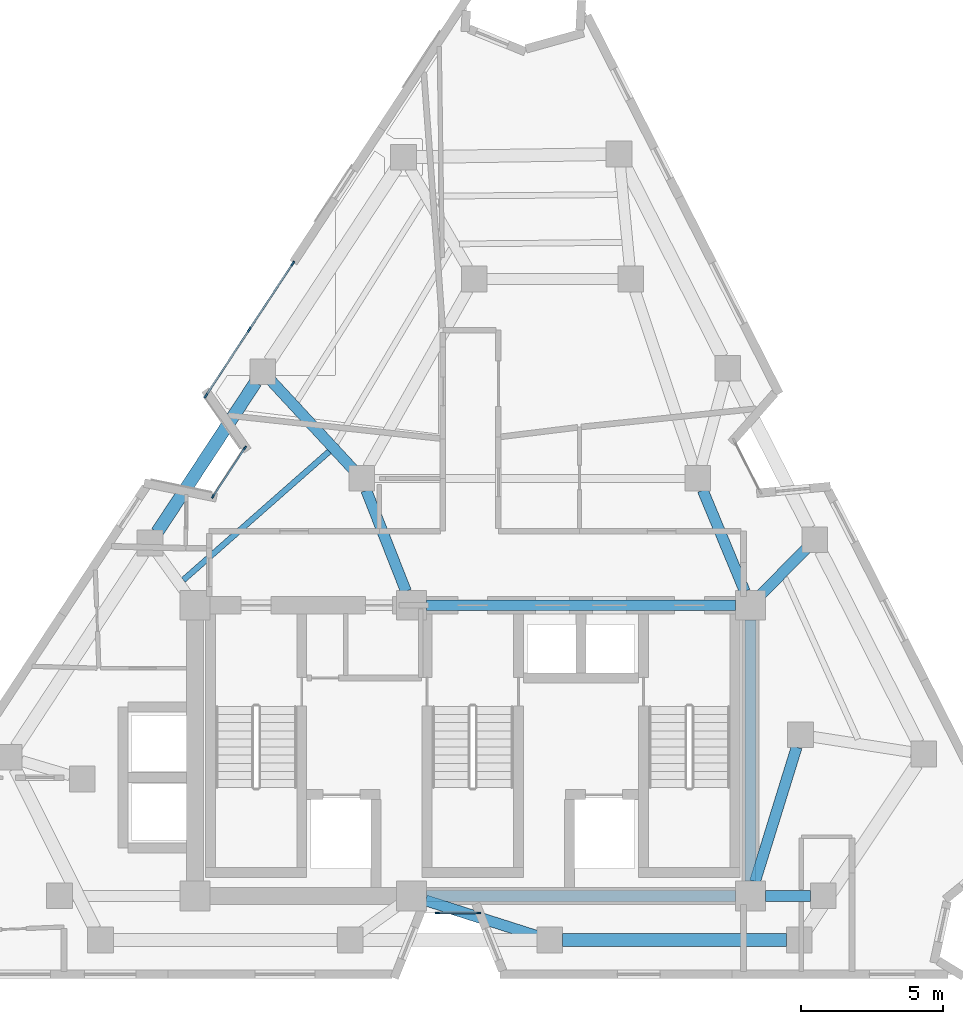
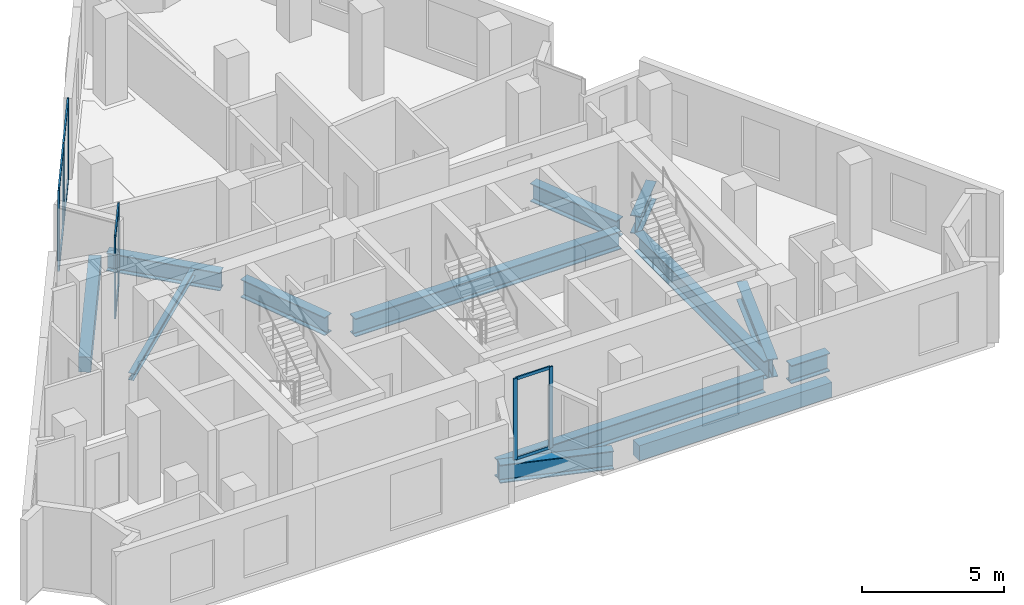
# One storey, part 2 of 8: 15 members, 13 beams, 3 elements without a shape of their own.
"""IFC4 building model written with IfcOpenShell, lengths in metres."""

from ifc_helpers import new_model, si_unit, direction, frame, origin, origin_2d, place, context, subcontext, project, spatial, rectangle, i_section, extrude, material, layer, layer_set, material_profile, profile_set, type_object, element, aggregate, save


model = new_model("IFC4")

# Units and contexts
model_context = context("Model", 3, precision=1e-05, world=origin(), true_north=direction((0.0, 1.0)))
body_context = subcontext(model_context, "Body", "Model", "MODEL_VIEW")
ifc_project = project(units=[si_unit("LENGTHUNIT", "METRE"), si_unit("AREAUNIT", "SQUARE_METRE"), si_unit("VOLUMEUNIT", "CUBIC_METRE"), si_unit("PLANEANGLEUNIT", "RADIAN"), si_unit("MASSUNIT", "GRAM", prefix="KILO")], contexts=[model_context])

# Site, building, storey
site_placement = place(None, origin())
site = spatial("IfcSite", under=ifc_project, at=site_placement, CompositionType="ELEMENT")
building_placement = place(site_placement, origin())
building = spatial("IfcBuilding", under=site, at=building_placement, Name="Almagre Mirador Tower", CompositionType="ELEMENT")
storey_placement = place(building_placement, frame((0.0, 0.0, 240.75)))
storey = spatial("IfcBuildingStorey", under=building, at=storey_placement, Name="L62", CompositionType="ELEMENT", Elevation=240.75)

# Beams
ifc_material_1 = material(Name="Steel ASTM A992 Grade 50", Category="steel")
ifc_material_profile_1 = material_profile(ifc_material_1, i_section(OverallWidth=0.205078125, OverallDepth=0.31005859375, WebThickness=0.009521484375, FlangeThickness=0.016357421875, FilletRadius=0.013916015625, at=origin_2d()), Name="W12X50")
ifc_profile_set_1 = profile_set([ifc_material_profile_1], Name="Steel ASTM A992 Grade 50")
beam_type_1 = type_object("IfcBeamType", Name="BM-JST-W12X50", PredefinedType="JOIST", material=ifc_profile_set_1)
beam_1_placement = place(storey_placement, frame((32.263916015625, 20.14453125, -0.405029296875), z_axis=(-0.750405922729, -0.660977269755, 0.0), x_axis=(0.660977269755, -0.750405922729, 0.0)))
element("IfcBeam", 1, at=beam_1_placement, inside=storey, type_object=beam_type_1, Name="L62 secondary floor joist PC10-PC11.3", PredefinedType="JOIST", context=body_context, shape_type="SweptSolid", body=[
    extrude(i_section(OverallWidth=0.205078125, OverallDepth=0.31005859375, WebThickness=0.009521484375, FlangeThickness=0.016357421875, FilletRadius=0.013916015625, at=origin_2d()), origin(), (0.0, 0.0, 1.0), 6.819580078125),
])
ifc_material_2 = material(Name="Precast concrete C50/60", Category="concrete")
ifc_material_profile_2 = material_profile(ifc_material_2, rectangle(XDim=0.449951171875, YDim=0.64990234375, at=origin_2d()), Name="RC450X650")
ifc_profile_set_2 = profile_set([ifc_material_profile_2], Name="Precast concrete C50/60")
beam_type_2 = type_object("IfcBeamType", Name="BM-SPN-RC450X650", PredefinedType="SPANDREL", material=ifc_profile_set_2)
beam_2_placement = place(storey_placement, frame((40.4541015625, 3.0, -0.574951171875), z_axis=(1.0, 0.0, 0.0), x_axis=(0.0, 1.0, 0.0)))
element("IfcBeam", 2, at=beam_2_placement, inside=storey, type_object=beam_type_2, Name="L62 perimeter spandrel beam PC03-PC04", PredefinedType="SPANDREL", context=body_context, shape_type="SweptSolid", body=[
    extrude(rectangle(XDim=0.449951171875, YDim=0.64990234375, at=origin_2d()), origin(), (0.0, 0.0, 1.0), 7.85986328125),
])
beam_3_placement = place(storey_placement, frame((29.681884765625, 22.572998046875, -0.574951171875), z_axis=(-0.549024719226, -0.835806112492, 0.0), x_axis=(0.835806112492, -0.549024719226, 0.0)))
element("IfcBeam", 3, at=beam_3_placement, inside=storey, type_object=beam_type_2, Name="L62 perimeter spandrel beam PC10-PC11", PredefinedType="SPANDREL", context=body_context, shape_type="SweptSolid", body=[
    extrude(rectangle(XDim=0.449951171875, YDim=0.64990234375, at=origin_2d()), origin(), (0.0, 0.0, 1.0), 6.298095703125),
])
ifc_material_3 = material(Name="Steel ASTM A992 Grade 50", Category="steel")
ifc_material_profile_3 = material_profile(ifc_material_3, i_section(OverallWidth=0.384033203125, OverallDepth=0.784912109375, WebThickness=0.019775390625, FlangeThickness=0.033447265625, FilletRadius=0.02392578125, at=origin_2d()), Name="W30X211")
ifc_profile_set_3 = profile_set([ifc_material_profile_3], Name="Steel ASTM A992 Grade 50")
beam_type_3 = type_object("IfcBeamType", Name="BM-STL-W30X211", PredefinedType="BEAM", material=ifc_profile_set_3)
for number, where, z_axis, x_axis, name in (
    (4, (35.675048828125, 4.550048828125, -0.642578125), (1.0, 0.0, 0.0), (0.0, 1.0, 0.0), "L62 core tie girder CC2-CC3"),
    (5, (35.675048828125, 14.75, -0.642578125), (1.0, 0.0, 0.0), (0.0, 1.0, 0.0), "L62 core tie girder CC5-CC6"),
):
    element("IfcBeam", number, at=place(storey_placement, frame(where, z_axis=z_axis, x_axis=x_axis)), inside=storey, type_object=beam_type_3, Name=name, PredefinedType="BEAM", context=body_context, shape_type="SweptSolid", body=[
        extrude(i_section(OverallWidth=0.384033203125, OverallDepth=0.784912109375, WebThickness=0.019775390625, FlangeThickness=0.033447265625, FilletRadius=0.02392578125, at=origin_2d()), origin(), (0.0, 0.0, 1.0), 10.849853515625),
    ])
beam_4_placement = place(storey_placement, frame((47.050048828125, 5.074951171875, -0.642578125), z_axis=(0.0, 1.0, 0.0), x_axis=(-1.0, 0.0, 0.0)))
element("IfcBeam", 6, at=beam_4_placement, inside=storey, type_object=beam_type_3, Name="L62 core tie girder CC3-CC6", PredefinedType="BEAM", context=body_context, shape_type="SweptSolid", body=[
    extrude(i_section(OverallWidth=0.384033203125, OverallDepth=0.784912109375, WebThickness=0.019775390625, FlangeThickness=0.033447265625, FilletRadius=0.02392578125, at=origin_2d()), origin(), (0.0, 0.0, 1.0), 9.150146484375),
])
beam_5_placement = place(storey_placement, frame((49.14990234375, 4.550048828125, -0.642578125), z_axis=(-1.0, 0.0, 0.0), x_axis=(0.0, -1.0, 0.0)))
element("IfcBeam", 7, at=beam_5_placement, inside=storey, type_object=beam_type_3, Name="L62 core tie girder MC2-CC3", PredefinedType="BEAM", context=body_context, shape_type="SweptSolid", body=[
    extrude(i_section(OverallWidth=0.384033203125, OverallDepth=0.784912109375, WebThickness=0.019775390625, FlangeThickness=0.033447265625, FilletRadius=0.02392578125, at=origin_2d()), origin(), (0.0, 0.0, 1.0), 1.574951171875),
])
beam_6_placement = place(storey_placement, frame((48.6669921875, 9.77001953125, -0.642578125), z_axis=(-0.295901717967, -0.955218390372, 0.0), x_axis=(0.955218390372, -0.295901717967, 0.0)))
element("IfcBeam", 8, at=beam_6_placement, inside=storey, type_object=beam_type_3, Name="L62 core tie girder MC3-CC3", PredefinedType="BEAM", context=body_context, shape_type="SweptSolid", body=[
    extrude(i_section(OverallWidth=0.384033203125, OverallDepth=0.784912109375, WebThickness=0.019775390625, FlangeThickness=0.033447265625, FilletRadius=0.02392578125, at=origin_2d()), origin(), (0.0, 0.0, 1.0), 4.939697265625),
])
beam_7_placement = place(storey_placement, frame((45.372802734375, 18.784423828125, -0.642578125), z_axis=(0.383862140668, -0.923390414159, 0.0), x_axis=(0.923390414159, 0.383862140668, 0.0)))
element("IfcBeam", 9, at=beam_7_placement, inside=storey, type_object=beam_type_3, Name="L62 core tie girder MC5-CC6", PredefinedType="BEAM", context=body_context, shape_type="SweptSolid", body=[
    extrude(i_section(OverallWidth=0.384033203125, OverallDepth=0.784912109375, WebThickness=0.019775390625, FlangeThickness=0.033447265625, FilletRadius=0.02392578125, at=origin_2d()), origin(), (0.0, 0.0, 1.0), 3.843994140625),
])
beam_8_placement = place(storey_placement, frame((33.564697265625, 18.78125, -0.642578125), z_axis=(0.365999579355, -0.93061501595, 0.0), x_axis=(0.93061501595, 0.365999579355, 0.0)))
element("IfcBeam", 10, at=beam_8_placement, inside=storey, type_object=beam_type_3, Name="L62 core tie girder MC8-CC5", PredefinedType="BEAM", context=body_context, shape_type="SweptSolid", body=[
    extrude(i_section(OverallWidth=0.384033203125, OverallDepth=0.784912109375, WebThickness=0.019775390625, FlangeThickness=0.033447265625, FilletRadius=0.02392578125, at=origin_2d()), origin(), (0.0, 0.0, 1.0), 3.806884765625),
])
beam_9_placement = place(storey_placement, frame((39.5751953125, 3.136962890625, -0.642578125), z_axis=(-0.952606979741, 0.304203783914, 0.0), x_axis=(-0.304203783914, -0.952606979741, 0.0)))
element("IfcBeam", 11, at=beam_9_placement, inside=storey, type_object=beam_type_3, Name="L62 radial floor girder PC03-CC2", PredefinedType="BEAM", context=body_context, shape_type="SweptSolid", body=[
    extrude(i_section(OverallWidth=0.384033203125, OverallDepth=0.784912109375, WebThickness=0.019775390625, FlangeThickness=0.033447265625, FilletRadius=0.02392578125, at=origin_2d()), origin(), (0.0, 0.0, 1.0), 4.120361328125),
])
beam_10_placement = place(storey_placement, frame((48.99267578125, 16.72802734375, -0.642578125), z_axis=(-0.700668518121, -0.713486949925, 0.0), x_axis=(0.713486949925, -0.700668518121, 0.0)))
element("IfcBeam", 12, at=beam_10_placement, inside=storey, type_object=beam_type_3, Name="L62 radial floor girder PC06-CC6", PredefinedType="BEAM", context=body_context, shape_type="SweptSolid", body=[
    extrude(i_section(OverallWidth=0.384033203125, OverallDepth=0.784912109375, WebThickness=0.019775390625, FlangeThickness=0.033447265625, FilletRadius=0.02392578125, at=origin_2d()), origin(), (0.0, 0.0, 1.0), 2.247314453125),
])
beam_11_placement = place(storey_placement, frame((30.234619140625, 22.618896484375, -0.642578125), z_axis=(0.679380272184, -0.733786376112, 0.0), x_axis=(0.733786376112, 0.679380272184, 0.0)))
element("IfcBeam", 13, at=beam_11_placement, inside=storey, type_object=beam_type_3, Name="L62 radial floor girder PC10-MC8", PredefinedType="BEAM", context=body_context, shape_type="SweptSolid", body=[
    extrude(i_section(OverallWidth=0.384033203125, OverallDepth=0.784912109375, WebThickness=0.019775390625, FlangeThickness=0.033447265625, FilletRadius=0.02392578125, at=origin_2d()), origin(), (0.0, 0.0, 1.0), 4.209228515625),
])

# Curtain wall, members
ifc_material_4 = material(Name="Black anodized aluminium", Category="aluminium")
ifc_layer_1 = layer(ifc_material_4, 0.169921875)
ifc_layer_set_1 = layer_set([ifc_layer_1], Name="Black anodized aluminium")
curtain_wall_type_1 = type_object("IfcCurtainWallType", Name="CW-CRS-SYS", PredefinedType="NOTDEFINED", material=ifc_layer_set_1)
curtain_wall_1_placement = place(storey_placement, origin())
curtain_wall_1 = element("IfcCurtainWall", 14, at=curtain_wall_1_placement, inside=storey, type_object=curtain_wall_type_1, Name="L62 vertical crease curtain wall 01", PredefinedType="NOTDEFINED")
ifc_material_5 = material(Name="Black anodized aluminium", Category="aluminium")
ifc_material_profile_4 = material_profile(ifc_material_5, rectangle(XDim=0.06005859375, YDim=0.14990234375, at=origin_2d()), Name="CWM60X150")
ifc_profile_set_4 = profile_set([ifc_material_profile_4], Name="Black anodized aluminium")
member_type_1 = type_object("IfcMemberType", Name="MBR-CWM60X150", PredefinedType="MULLION", material=ifc_profile_set_4)
member_1_placement = place(storey_placement, frame((28.189453125, 18.571044921875, 0.0), z_axis=(0.0, 0.0, 1.0), x_axis=(-0.835711752454, 0.549168341049, 0.0)))
member_1 = element("IfcMember", 15, at=member_1_placement, type_object=member_type_1, Name="CW-4 mullion 1", PredefinedType="MULLION", context=body_context, shape_type="SweptSolid", body=[
    extrude(rectangle(XDim=0.06005859375, YDim=0.14990234375, at=origin_2d()), origin(), (0.0, 0.0, 1.0), 3.5),
])
member_2_placement = place(storey_placement, frame((29.304443359375, 20.267822265625, 0.0), z_axis=(0.0, 0.0, 1.0), x_axis=(-0.835711752454, 0.549168341049, 0.0)))
member_2 = element("IfcMember", 16, at=member_2_placement, type_object=member_type_1, Name="CW-4 mullion 2", PredefinedType="MULLION", context=body_context, shape_type="SweptSolid", body=[
    extrude(rectangle(XDim=0.06005859375, YDim=0.14990234375, at=origin_2d()), origin(), (0.0, 0.0, 1.0), 3.5),
])

curtain_wall_2_placement = place(storey_placement, origin())
curtain_wall_2 = element("IfcCurtainWall", 17, at=curtain_wall_2_placement, inside=storey, type_object=curtain_wall_type_1, Name="L62 vertical crease curtain wall 04", PredefinedType="NOTDEFINED")
member_3_placement = place(storey_placement, frame((37.514892578125, 3.949951171875, 0.0), z_axis=(0.0, 0.0, 1.0), x_axis=(0.0, -1.0, 0.0)))
member_3 = element("IfcMember", 18, at=member_3_placement, type_object=member_type_1, Name="CW-4 mullion 1", PredefinedType="MULLION", context=body_context, shape_type="SweptSolid", body=[
    extrude(rectangle(XDim=0.06005859375, YDim=0.14990234375, at=origin_2d()), origin(), (0.0, 0.0, 1.0), 3.5),
])
member_4_placement = place(storey_placement, frame((36.06494140625, 3.949951171875, 0.0), z_axis=(0.0, 0.0, 1.0), x_axis=(0.0, -1.0, 0.0)))
member_4 = element("IfcMember", 19, at=member_4_placement, type_object=member_type_1, Name="CW-4 mullion 2", PredefinedType="MULLION", context=body_context, shape_type="SweptSolid", body=[
    extrude(rectangle(XDim=0.06005859375, YDim=0.14990234375, at=origin_2d()), origin(), (0.0, 0.0, 1.0), 3.5),
])

ifc_material_6 = material(Name="Black anodized aluminium", Category="aluminium")
ifc_layer_2 = layer(ifc_material_6, 0.199951171875)
ifc_layer_set_2 = layer_set([ifc_layer_2], Name="Black anodized aluminium")
curtain_wall_type_2 = type_object("IfcCurtainWallType", Name="CW-RES-H-SYS", PredefinedType="NOTDEFINED", material=ifc_layer_set_2)
curtain_wall_3_placement = place(storey_placement, origin())
curtain_wall_3 = element("IfcCurtainWall", 20, at=curtain_wall_3_placement, inside=storey, type_object=curtain_wall_type_2, Name="L62 curtain wall run 02", PredefinedType="NOTDEFINED")
ifc_material_7 = material(Name="Black anodized aluminium", Category="aluminium")
ifc_material_profile_5 = material_profile(ifc_material_7, rectangle(XDim=0.06494140625, YDim=0.179931640625, at=origin_2d()), Name="CWM65X180")
ifc_profile_set_5 = profile_set([ifc_material_profile_5], Name="Black anodized aluminium")
member_type_2 = type_object("IfcMemberType", Name="MBR-CWM65X180", PredefinedType="MULLION", material=ifc_profile_set_5)
member_5_placement = place(storey_placement, frame((27.933837890625, 22.09814453125, 0.0), z_axis=(0.0, 0.0, 1.0), x_axis=(-0.835781239423, 0.549062582798, 0.0)))
member_5 = element("IfcMember", 21, at=member_5_placement, type_object=member_type_2, Name="CW-3 mullion 1", PredefinedType="MULLION", context=body_context, shape_type="SweptSolid", body=[
    extrude(rectangle(XDim=0.06494140625, YDim=0.179931640625, at=origin_2d()), origin(), (0.0, 0.0, 1.0), 3.5),
])
member_6_placement = place(storey_placement, frame((29.460205078125, 24.42138671875, 0.0), z_axis=(0.0, 0.0, 1.0), x_axis=(-0.835781239423, 0.549062582798, 0.0)))
member_6 = element("IfcMember", 22, at=member_6_placement, type_object=member_type_2, Name="CW-3 mullion 2", PredefinedType="MULLION", context=body_context, shape_type="SweptSolid", body=[
    extrude(rectangle(XDim=0.06494140625, YDim=0.179931640625, at=origin_2d()), origin(), (0.0, 0.0, 1.0), 3.5),
])
member_7_placement = place(storey_placement, frame((30.986572265625, 26.744873046875, 0.0), z_axis=(0.0, 0.0, 1.0), x_axis=(-0.835781239423, 0.549062582798, 0.0)))
member_7 = element("IfcMember", 23, at=member_7_placement, type_object=member_type_2, Name="CW-3 mullion 3", PredefinedType="MULLION", context=body_context, shape_type="SweptSolid", body=[
    extrude(rectangle(XDim=0.06494140625, YDim=0.179931640625, at=origin_2d()), origin(), (0.0, 0.0, 1.0), 3.5),
])

# Member
ifc_material_8 = material(Name="Black anodized aluminium", Category="aluminium")
ifc_material_profile_6 = material_profile(ifc_material_8, rectangle(XDim=0.06005859375, YDim=0.1298828125, at=origin_2d()), Name="CWT60X130")
ifc_profile_set_6 = profile_set([ifc_material_profile_6], Name="Black anodized aluminium")
member_type_3 = type_object("IfcMemberType", Name="MBR-CWT60X130", PredefinedType="USERDEFINED", material=ifc_profile_set_6)
member_8_placement = place(storey_placement, frame((28.2060546875, 18.59619140625, 0.030029296875), z_axis=(0.549140799806, 0.835729849885, 0.0), x_axis=(-0.835729849885, 0.549140799806, 0.0)))
member_8 = element("IfcMember", 24, at=member_8_placement, type_object=member_type_3, Name="CW-4 transom 1.1", ObjectType="TRANSOM", PredefinedType="USERDEFINED", context=body_context, shape_type="SweptSolid", body=[
    extrude(rectangle(XDim=0.06005859375, YDim=0.1298828125, at=origin_2d()), origin(), (0.0, 0.0, 1.0), 1.970458984375),
])

member_9_placement = place(storey_placement, frame((28.2060546875, 18.59619140625, 3.469970703125), z_axis=(0.549140799806, 0.835729849885, 0.0), x_axis=(-0.835729849885, 0.549140799806, 0.0)))
member_9 = element("IfcMember", 25, at=member_9_placement, type_object=member_type_3, Name="CW-4 transom 1.2", ObjectType="TRANSOM", PredefinedType="USERDEFINED", context=body_context, shape_type="SweptSolid", body=[
    extrude(rectangle(XDim=0.06005859375, YDim=0.1298828125, at=origin_2d()), origin(), (0.0, 0.0, 1.0), 1.970458984375),
])

aggregate(curtain_wall_1, [member_1, member_2, member_8, member_9])

member_10_placement = place(storey_placement, frame((37.485107421875, 3.949951171875, 0.030029296875), z_axis=(-1.0, 0.0, 0.0), x_axis=(0.0, -1.0, 0.0)))
member_10 = element("IfcMember", 26, at=member_10_placement, type_object=member_type_3, Name="CW-4 transom 1.1", ObjectType="TRANSOM", PredefinedType="USERDEFINED", context=body_context, shape_type="SweptSolid", body=[
    extrude(rectangle(XDim=0.06005859375, YDim=0.1298828125, at=origin_2d()), origin(), (0.0, 0.0, 1.0), 1.39013671875),
])

member_11_placement = place(storey_placement, frame((37.485107421875, 3.949951171875, 3.469970703125), z_axis=(-1.0, 0.0, 0.0), x_axis=(0.0, -1.0, 0.0)))
member_11 = element("IfcMember", 27, at=member_11_placement, type_object=member_type_3, Name="CW-4 transom 1.2", ObjectType="TRANSOM", PredefinedType="USERDEFINED", context=body_context, shape_type="SweptSolid", body=[
    extrude(rectangle(XDim=0.06005859375, YDim=0.1298828125, at=origin_2d()), origin(), (0.0, 0.0, 1.0), 1.39013671875),
])

aggregate(curtain_wall_2, [member_3, member_4, member_10, member_11])

ifc_material_9 = material(Name="Black anodized aluminium", Category="aluminium")
ifc_material_profile_7 = material_profile(ifc_material_9, rectangle(XDim=0.06494140625, YDim=0.14990234375, at=origin_2d()), Name="CWT65X150")
ifc_profile_set_7 = profile_set([ifc_material_profile_7], Name="Black anodized aluminium")
member_type_4 = type_object("IfcMemberType", Name="MBR-CWT65X150", PredefinedType="USERDEFINED", material=ifc_profile_set_7)
member_12_placement = place(storey_placement, frame((27.951904296875, 22.125244140625, 0.032470703125), z_axis=(0.549021755981, 0.835808058982, 0.0), x_axis=(-0.835808058982, 0.549021755981, 0.0)))
member_12 = element("IfcMember", 28, at=member_12_placement, type_object=member_type_4, Name="CW-3 transom 1.1", ObjectType="TRANSOM", PredefinedType="USERDEFINED", context=body_context, shape_type="SweptSolid", body=[
    extrude(rectangle(XDim=0.06494140625, YDim=0.14990234375, at=origin_2d()), origin(), (0.0, 0.0, 1.0), 2.71484375),
])

member_13_placement = place(storey_placement, frame((27.951904296875, 22.125244140625, 3.467529296875), z_axis=(0.549021755981, 0.835808058982, 0.0), x_axis=(-0.835808058982, 0.549021755981, 0.0)))
member_13 = element("IfcMember", 29, at=member_13_placement, type_object=member_type_4, Name="CW-3 transom 1.2", ObjectType="TRANSOM", PredefinedType="USERDEFINED", context=body_context, shape_type="SweptSolid", body=[
    extrude(rectangle(XDim=0.06494140625, YDim=0.14990234375, at=origin_2d()), origin(), (0.0, 0.0, 1.0), 2.71484375),
])

member_14_placement = place(storey_placement, frame((29.47802734375, 24.44873046875, 0.032470703125), z_axis=(0.549084574086, 0.835766791935, 0.0), x_axis=(-0.835766791935, 0.549084574086, 0.0)))
member_14 = element("IfcMember", 30, at=member_14_placement, type_object=member_type_4, Name="CW-3 transom 2.1", ObjectType="TRANSOM", PredefinedType="USERDEFINED", context=body_context, shape_type="SweptSolid", body=[
    extrude(rectangle(XDim=0.06494140625, YDim=0.14990234375, at=origin_2d()), origin(), (0.0, 0.0, 1.0), 2.71484375),
])

member_15_placement = place(storey_placement, frame((29.47802734375, 24.44873046875, 3.467529296875), z_axis=(0.549084574086, 0.835766791935, 0.0), x_axis=(-0.835766791935, 0.549084574086, 0.0)))
member_15 = element("IfcMember", 31, at=member_15_placement, type_object=member_type_4, Name="CW-3 transom 2.2", ObjectType="TRANSOM", PredefinedType="USERDEFINED", context=body_context, shape_type="SweptSolid", body=[
    extrude(rectangle(XDim=0.06494140625, YDim=0.14990234375, at=origin_2d()), origin(), (0.0, 0.0, 1.0), 2.71484375),
])

aggregate(curtain_wall_3, [member_5, member_6, member_7, member_12, member_13, member_14, member_15])

save(model, "model.ifc")
